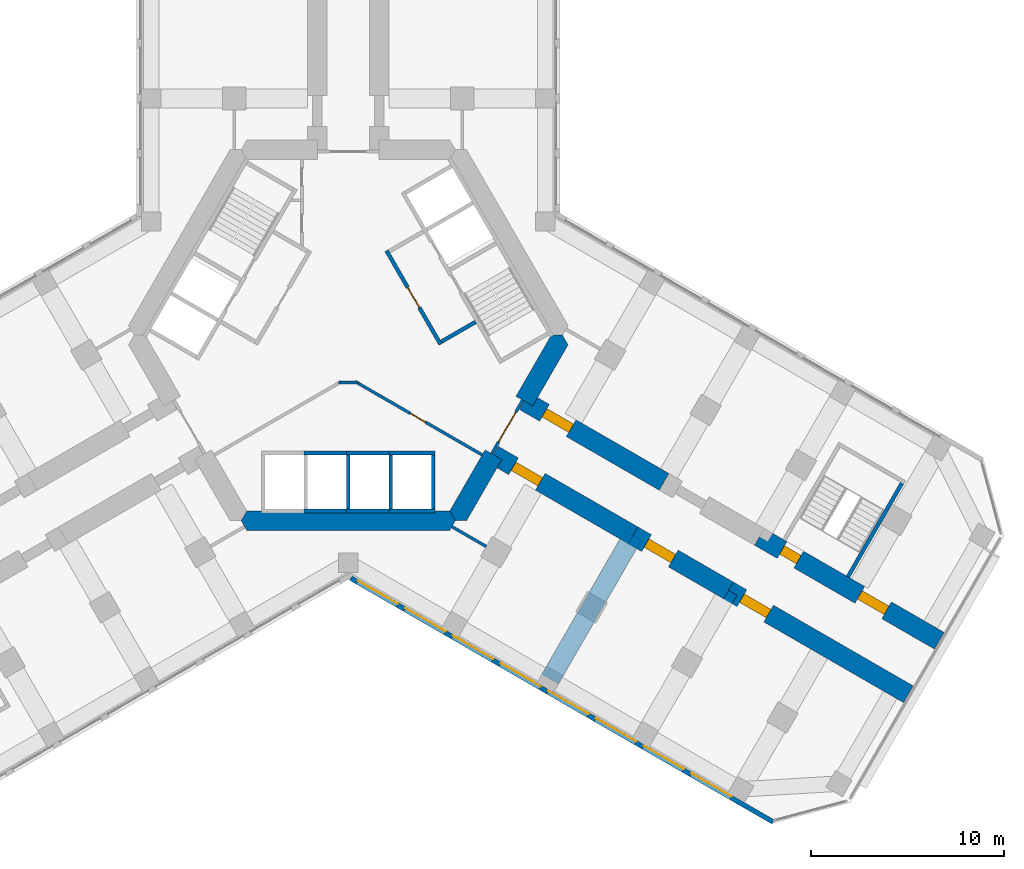
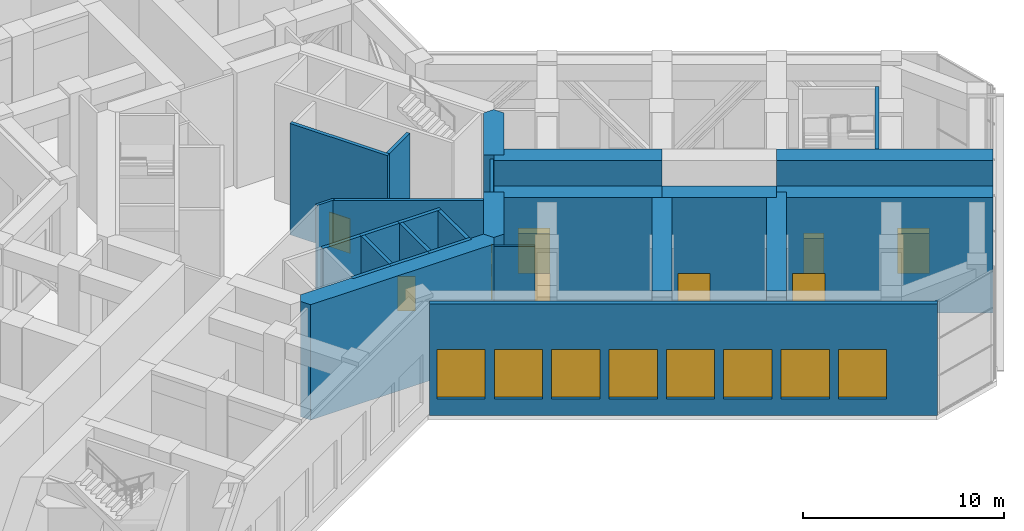
# One storey, part 12 of 17: 27 walls, 9 doors, 8 windows, 17 openings.
"""IFC4 building model written with IfcOpenShell, lengths in metres."""

from ifc_helpers import new_model, si_unit, direction, frame, frame_2d, origin, place, context, subcontext, project, spatial, polyline, rectangle, outline, extrude, material, layer, layer_set, type_object, element, fill, save


model = new_model("IFC4")

# Units and contexts
model_context = context("Model", 3, precision=1e-05, world=origin(), true_north=direction((0.0, 1.0)))
body_context = subcontext(model_context, "Body", "Model", "MODEL_VIEW")
ifc_project = project(units=[si_unit("LENGTHUNIT", "METRE"), si_unit("AREAUNIT", "SQUARE_METRE"), si_unit("VOLUMEUNIT", "CUBIC_METRE"), si_unit("PLANEANGLEUNIT", "RADIAN"), si_unit("MASSUNIT", "GRAM", prefix="KILO")], contexts=[model_context])

# Site, building, storey
site_placement = place(None, origin())
site = spatial("IfcSite", under=ifc_project, at=site_placement, CompositionType="ELEMENT")
building_placement = place(site_placement, origin())
building = spatial("IfcBuilding", under=site, at=building_placement, Name="Kosmar Iwan School Tower", CompositionType="ELEMENT")
storey_placement = place(building_placement, frame((0.0, 0.0, 113.199951171875)))
storey = spatial("IfcBuildingStorey", under=building, at=storey_placement, Name="L28", CompositionType="ELEMENT", Elevation=113.199951171875)

# Wall
ifc_material_1 = material(Name="Gypsum board on steel studs, fire-rated", Category="steel")
ifc_layer_1 = layer(ifc_material_1, 0.14990234375)
ifc_layer_set_1 = layer_set([ifc_layer_1], Name="Core room partition 150")
wall_type_1 = type_object("IfcWallType", Name="Core room partition 150", PredefinedType="PARTITIONING", material=ifc_layer_set_1)
wall_1_placement = place(storey_placement, frame((-0.497802734375, -2.43798828125, 0.0), z_axis=(0.0, 0.0, 1.0), x_axis=(1.0, 0.0, 0.0)))
element("IfcWall", 1, at=wall_1_placement, inside=storey, type_object=wall_type_1, Name="Core room partition L28-CW4", PredefinedType="PARTITIONING", context=body_context, shape_type="SweptSolid", body=[
    extrude(rectangle(XDim=0.99560546875, YDim=0.14990234375, at=frame_2d((0.497802734375, 0.0))), origin(), (0.0, 0.0, 1.0), 6.75),
])

# Wall, opening, door
wall_2_placement = place(storey_placement, frame((0.35791015625, -2.400634765625, 0.0), z_axis=(0.0, 0.0, 1.0), x_axis=(0.866025421855, -0.4999999687, 0.0)))
wall_2 = element("IfcWall", 2, at=wall_2_placement, inside=storey, type_object=wall_type_1, Name="Core room partition L28-CW5", PredefinedType="PARTITIONING", context=body_context, shape_type="SweptSolid", body=[
    extrude(rectangle(XDim=7.58984375, YDim=0.14990234375, at=frame_2d((3.794921875, 0.0))), origin(), (0.0, 0.0, 1.0), 6.75),
])
opening_1_placement = place(wall_2_placement, frame((3.302001953125, 0.0, 0.0)))
opening_1 = element("IfcOpeningElement", 3, at=opening_1_placement, cuts=wall_2, Name="Opening D14", PredefinedType="OPENING", context=body_context, shape_type="SweptSolid", body=[
    extrude(rectangle(XDim=0.89990234375, YDim=2.10009765625, at=frame_2d((0.449951171875, 1.050048828125))), frame((0.0, 0.0869140625, 0.0), z_axis=(0.0, -1.0, 0.0), x_axis=(1.0, 0.0, 0.0)), (0.0, 0.0, 1.0), 0.173828125),
])
ifc_material_2 = material(Name="Timber fire door in steel frame", Category="steel")
door_type_1 = type_object("IfcDoorType", Name="Core room door 900x2100", OperationType="SINGLE_SWING_LEFT", PredefinedType="DOOR", material=ifc_material_2)
door_1_placement = place(opening_1_placement, origin())
door_1 = element("IfcDoor", 4, at=door_1_placement, inside=storey, type_object=door_type_1, Name="Maintenance workshop door L28 3", OperationType="SINGLE_SWING_LEFT", OverallHeight=2.10009765625, OverallWidth=0.89990234375, PredefinedType="DOOR", context=body_context, shape_type="SweptSolid", body=[
    extrude(rectangle(XDim=0.89990234375, YDim=2.10009765625, at=frame_2d((0.449951171875, 1.050048828125))), frame((0.0, 0.02490234375, 0.0), z_axis=(0.0, -1.0, 0.0), x_axis=(1.0, 0.0, 0.0)), (0.0, 0.0, 1.0), 0.050048828125),
])
fill(opening_1, door_1)

# Walls
ifc_material_3 = material(Name="Concrete C50/60", Category="concrete")
ifc_layer_2 = layer(ifc_material_3, 1.0)
ifc_layer_set_2 = layer_set([ifc_layer_2], Name="Core wall 1000")
wall_type_2 = type_object("IfcWallType", Name="Core wall 1000", PredefinedType="SHEAR", material=ifc_layer_set_2)
wall_3_placement = place(storey_placement, origin())
element("IfcWall", 5, at=wall_3_placement, inside=storey, type_object=wall_type_2, Name="Core wall F270", PredefinedType="SHEAR", context=body_context, shape_type="SweptSolid", body=[
    extrude(outline(polyline([(-5.25390625, -10.10009765625), (5.25390625, -10.10009765625), (5.54248046875, -9.60009765625), (5.25390625, -9.10009765625), (-5.25390625, -9.10009765625), (-5.54248046875, -9.60009765625), (-5.25390625, -10.10009765625)])), origin(), (0.0, 0.0, 1.0), 7.0),
])
wall_4_placement = place(storey_placement, origin())
element("IfcWall", 6, at=wall_4_placement, inside=storey, type_object=wall_type_2, Name="Core wall F330a", PredefinedType="SHEAR", context=body_context, shape_type="SweptSolid", body=[
    extrude(outline(polyline([(5.54248046875, -9.60009765625), (6.119873046875, -9.60009765625), (7.94677734375, -6.435546875), (7.080810546875, -5.935546875), (5.25390625, -9.10009765625), (5.54248046875, -9.60009765625)])), origin(), (0.0, 0.0, 1.0), 7.0),
])
wall_5_placement = place(storey_placement, origin())
element("IfcWall", 7, at=wall_5_placement, inside=storey, type_object=wall_type_2, Name="Core wall F330b", PredefinedType="SHEAR", context=body_context, shape_type="SweptSolid", body=[
    extrude(outline(polyline([(9.546875, -3.664306640625), (11.373779296875, -0.5), (11.085205078125, 0.0), (10.5078125, 0.0), (8.680908203125, -3.164306640625), (9.546875, -3.664306640625)])), origin(), (0.0, 0.0, 1.0), 7.0),
])

# Wall, opening, door
ifc_material_4 = material(Name="Concrete C50/60", Category="concrete")
ifc_layer_3 = layer(ifc_material_4, 1.0)
ifc_layer_set_3 = layer_set([ifc_layer_3], Name="Corridor buttress wall 1000")
wall_type_3 = type_object("IfcWallType", Name="Corridor buttress wall 1000", PredefinedType="SHEAR", material=ifc_layer_set_3)
wall_6_placement = place(storey_placement, frame((9.11376953125, -3.414306640625, 0.0), z_axis=(0.0, 0.0, 1.0), x_axis=(0.866026859388, -0.499997478812, 0.0)))
wall_6 = element("IfcWall", 8, at=wall_6_placement, inside=storey, type_object=wall_type_3, Name="Corridor wall CL", PredefinedType="SHEAR", context=body_context, shape_type="SweptSolid", body=[
    extrude(rectangle(XDim=8.35009765625, YDim=1.0, at=frame_2d((4.175048828125, 0.0))), origin(), (0.0, 0.0, 1.0), 7.0),
])
opening_2_placement = place(wall_6_placement, frame((1.199951171875, 0.0, 0.0)))
opening_2 = element("IfcOpeningElement", 9, at=opening_2_placement, cuts=wall_6, Name="Opening D5", PredefinedType="OPENING", context=body_context, shape_type="SweptSolid", body=[
    extrude(rectangle(XDim=1.60009765625, YDim=2.39990234375, at=frame_2d((0.800048828125, 1.199951171875))), frame((0.0, 0.511962890625, 0.0), z_axis=(0.0, -1.0, 0.0), x_axis=(1.0, 0.0, 0.0)), (0.0, 0.0, 1.0), 1.02392578125),
])
ifc_material_5 = material(Name="Steel fire door", Category="steel")
door_type_2 = type_object("IfcDoorType", Name="Plant room door pair 1600x2400", OperationType="DOUBLE_DOOR_SINGLE_SWING", PredefinedType="DOOR", material=ifc_material_5)
door_2_placement = place(opening_2_placement, origin())
door_2 = element("IfcDoor", 10, at=door_2_placement, inside=storey, type_object=door_type_2, Name="Refuge area door L28-CL1", OperationType="DOUBLE_DOOR_SINGLE_SWING", OverallHeight=2.39990234375, OverallWidth=1.60009765625, PredefinedType="DOOR", context=body_context, shape_type="SweptSolid", body=[
    extrude(rectangle(XDim=1.60009765625, YDim=2.39990234375, at=frame_2d((0.800048828125, 1.199951171875))), frame((0.0, 0.25, 0.0), z_axis=(0.0, -1.0, 0.0), x_axis=(1.0, 0.0, 0.0)), (0.0, 0.0, 1.0), 0.5),
])
fill(opening_2, door_2)

# Wall, openings, doors
wall_7_placement = place(storey_placement, frame((21.281494140625, -10.439453125, 0.0), z_axis=(0.0, 0.0, 1.0), x_axis=(0.866032345022, -0.499987977232, 0.0)))
wall_7 = element("IfcWall", 11, at=wall_7_placement, inside=storey, type_object=wall_type_3, Name="Corridor wall CL bay 3", PredefinedType="SHEAR", context=body_context, shape_type="SweptSolid", body=[
    extrude(rectangle(XDim=10.744873046875, YDim=1.0, at=frame_2d((5.37255859375, 0.0))), origin(), (0.0, 0.0, 1.0), 7.0),
])
opening_3_placement = place(wall_7_placement, frame((6.0, 0.0, 0.0)))
opening_3 = element("IfcOpeningElement", 12, at=opening_3_placement, cuts=wall_7, Name="Opening D5", PredefinedType="OPENING", context=body_context, shape_type="SweptSolid", body=[
    extrude(rectangle(XDim=1.60009765625, YDim=2.39990234375, at=frame_2d((0.800048828125, 1.199951171875))), frame((0.0, 0.511962890625, 0.0), z_axis=(0.0, -1.0, 0.0), x_axis=(1.0, 0.0, 0.0)), (0.0, 0.0, 1.0), 1.02392578125),
])
opening_4_placement = place(wall_7_placement, frame((1.35009765625, 0.0, 0.0)))
opening_4 = element("IfcOpeningElement", 13, at=opening_4_placement, cuts=wall_7, Name="Opening D6", PredefinedType="OPENING", context=body_context, shape_type="SweptSolid", body=[
    extrude(rectangle(XDim=1.0, YDim=2.10009765625, at=frame_2d((0.5, 1.050048828125))), frame((0.0, 0.511962890625, 0.0), z_axis=(0.0, -1.0, 0.0), x_axis=(1.0, 0.0, 0.0)), (0.0, 0.0, 1.0), 1.02392578125),
])
door_3_placement = place(opening_3_placement, origin())
door_3 = element("IfcDoor", 14, at=door_3_placement, inside=storey, type_object=door_type_2, Name="Water tank room door L28-CL3", OperationType="DOUBLE_DOOR_SINGLE_SWING", OverallHeight=2.39990234375, OverallWidth=1.60009765625, PredefinedType="DOOR", context=body_context, shape_type="SweptSolid", body=[
    extrude(rectangle(XDim=1.60009765625, YDim=2.39990234375, at=frame_2d((0.800048828125, 1.199951171875))), frame((0.0, 0.25, 0.0), z_axis=(0.0, -1.0, 0.0), x_axis=(1.0, 0.0, 0.0)), (0.0, 0.0, 1.0), 0.5),
])
fill(opening_3, door_3)
ifc_material_6 = material(Name="Steel fire door", Category="steel")
door_type_3 = type_object("IfcDoorType", Name="Stair door 1000x2100", OperationType="SINGLE_SWING_LEFT", PredefinedType="DOOR", material=ifc_material_6)
door_4_placement = place(opening_4_placement, origin())
door_4 = element("IfcDoor", 15, at=door_4_placement, inside=storey, type_object=door_type_3, Name="Stair WS3 door L28", OperationType="SINGLE_SWING_LEFT", OverallHeight=2.10009765625, OverallWidth=1.0, PredefinedType="DOOR", context=body_context, shape_type="SweptSolid", body=[
    extrude(rectangle(XDim=1.0, YDim=2.10009765625, at=frame_2d((0.5, 1.050048828125))), frame((0.0, 0.25, 0.0), z_axis=(0.0, -1.0, 0.0), x_axis=(1.0, 0.0, 0.0)), (0.0, 0.0, 1.0), 0.5),
])
fill(opening_4, door_4)

# Wall, opening, door
wall_8_placement = place(storey_placement, frame((7.513916015625, -6.185546875, 0.0), z_axis=(0.0, 0.0, 1.0), x_axis=(0.866019549707, -0.500010139422, 0.0)))
wall_8 = element("IfcWall", 16, at=wall_8_placement, inside=storey, type_object=wall_type_3, Name="Corridor wall CR", PredefinedType="SHEAR", context=body_context, shape_type="SweptSolid", body=[
    extrude(rectangle(XDim=8.349853515625, YDim=1.0, at=frame_2d((4.1748046875, 0.0))), origin(), (0.0, 0.0, 1.0), 7.0),
])
opening_5_placement = place(wall_8_placement, frame((1.199951171875, 0.0, 0.0)))
opening_5 = element("IfcOpeningElement", 17, at=opening_5_placement, cuts=wall_8, Name="Opening D5", PredefinedType="OPENING", context=body_context, shape_type="SweptSolid", body=[
    extrude(rectangle(XDim=1.60009765625, YDim=2.39990234375, at=frame_2d((0.800048828125, 1.199951171875))), frame((0.0, 0.511962890625, 0.0), z_axis=(0.0, -1.0, 0.0), x_axis=(1.0, 0.0, 0.0)), (0.0, 0.0, 1.0), 1.02392578125),
])
door_5_placement = place(opening_5_placement, origin())
door_5 = element("IfcDoor", 18, at=door_5_placement, inside=storey, type_object=door_type_2, Name="Refuge area door L28-CR1", OperationType="DOUBLE_DOOR_SINGLE_SWING", OverallHeight=2.39990234375, OverallWidth=1.60009765625, PredefinedType="DOOR", context=body_context, shape_type="SweptSolid", body=[
    extrude(rectangle(XDim=1.60009765625, YDim=2.39990234375, at=frame_2d((0.800048828125, 1.199951171875))), frame((0.0, 0.25, 0.0), z_axis=(0.0, -1.0, 0.0), x_axis=(1.0, 0.0, 0.0)), (0.0, 0.0, 1.0), 0.5),
])
fill(opening_5, door_5)

wall_9_placement = place(storey_placement, frame((14.7451171875, -10.360595703125, 0.0), z_axis=(0.0, 0.0, 1.0), x_axis=(0.866015111908, -0.50001782563, 0.0)))
wall_9 = element("IfcWall", 19, at=wall_9_placement, inside=storey, type_object=wall_type_3, Name="Corridor wall CR bay 2", PredefinedType="SHEAR", context=body_context, shape_type="SweptSolid", body=[
    extrude(rectangle(XDim=5.699951171875, YDim=1.0, at=frame_2d((2.85009765625, 0.0))), origin(), (0.0, 0.0, 1.0), 7.0),
])
opening_6_placement = place(wall_9_placement, frame((0.800048828125, 0.0, 0.0)))
opening_6 = element("IfcOpeningElement", 20, at=opening_6_placement, cuts=wall_9, Name="Opening D5", PredefinedType="OPENING", context=body_context, shape_type="SweptSolid", body=[
    extrude(rectangle(XDim=1.60009765625, YDim=2.39990234375, at=frame_2d((0.800048828125, 1.199951171875))), frame((0.0, 0.511962890625, 0.0), z_axis=(0.0, -1.0, 0.0), x_axis=(1.0, 0.0, 0.0)), (0.0, 0.0, 1.0), 1.02392578125),
])
door_6_placement = place(opening_6_placement, origin())
door_6 = element("IfcDoor", 21, at=door_6_placement, inside=storey, type_object=door_type_2, Name="Electrical switch room door L28-CR2", OperationType="DOUBLE_DOOR_SINGLE_SWING", OverallHeight=2.39990234375, OverallWidth=1.60009765625, PredefinedType="DOOR", context=body_context, shape_type="SweptSolid", body=[
    extrude(rectangle(XDim=1.60009765625, YDim=2.39990234375, at=frame_2d((0.800048828125, 1.199951171875))), frame((0.0, 0.25, 0.0), z_axis=(0.0, -1.0, 0.0), x_axis=(1.0, 0.0, 0.0)), (0.0, 0.0, 1.0), 0.5),
])
fill(opening_6, door_6)

wall_10_placement = place(storey_placement, frame((19.681396484375, -13.210693359375, 0.0), z_axis=(0.0, 0.0, 1.0), x_axis=(0.866028186671, -0.499995179869, 0.0)))
wall_10 = element("IfcWall", 22, at=wall_10_placement, inside=storey, type_object=wall_type_3, Name="Corridor wall CR bay 3", PredefinedType="SHEAR", context=body_context, shape_type="SweptSolid", body=[
    extrude(rectangle(XDim=10.7451171875, YDim=1.0, at=frame_2d((5.37255859375, 0.0))), origin(), (0.0, 0.0, 1.0), 7.0),
])
opening_7_placement = place(wall_10_placement, frame((0.800048828125, 0.0, 0.0)))
opening_7 = element("IfcOpeningElement", 23, at=opening_7_placement, cuts=wall_10, Name="Opening D5", PredefinedType="OPENING", context=body_context, shape_type="SweptSolid", body=[
    extrude(rectangle(XDim=1.60009765625, YDim=2.39990234375, at=frame_2d((0.800048828125, 1.199951171875))), frame((0.0, 0.511962890625, 0.0), z_axis=(0.0, -1.0, 0.0), x_axis=(1.0, 0.0, 0.0)), (0.0, 0.0, 1.0), 1.02392578125),
])
door_7_placement = place(opening_7_placement, origin())
door_7 = element("IfcDoor", 24, at=door_7_placement, inside=storey, type_object=door_type_2, Name="Water tank room door L28-CR3", OperationType="DOUBLE_DOOR_SINGLE_SWING", OverallHeight=2.39990234375, OverallWidth=1.60009765625, PredefinedType="DOOR", context=body_context, shape_type="SweptSolid", body=[
    extrude(rectangle(XDim=1.60009765625, YDim=2.39990234375, at=frame_2d((0.800048828125, 1.199951171875))), frame((0.0, 0.25, 0.0), z_axis=(0.0, -1.0, 0.0), x_axis=(1.0, 0.0, 0.0)), (0.0, 0.0, 1.0), 0.5),
])
fill(opening_7, door_7)

ifc_material_7 = material(Name="Steel framed glazed screen", Category="steel")
ifc_layer_4 = layer(ifc_material_7, 0.14990234375)
ifc_layer_set_4 = layer_set([ifc_layer_4], Name="Corridor screen wall 150")
wall_type_4 = type_object("IfcWallType", Name="Corridor screen wall 150", PredefinedType="PARTITIONING", material=ifc_layer_set_4)
wall_11_placement = place(storey_placement, frame((7.42724609375, -6.1357421875, 0.0), z_axis=(0.0, 0.0, 1.0), x_axis=(0.499995408039, 0.866028054938, 0.0)))
wall_11 = element("IfcWall", 25, at=wall_11_placement, inside=storey, type_object=wall_type_4, Name="Corridor screen C L28", PredefinedType="PARTITIONING", context=body_context, shape_type="SweptSolid", body=[
    extrude(rectangle(XDim=3.2001953125, YDim=0.14990234375, at=frame_2d((1.60009765625, 0.0))), origin(), (0.0, 0.0, 1.0), 6.75),
])
opening_8_placement = place(wall_11_placement, frame((0.699951171875, 0.0, 0.0)))
opening_8 = element("IfcOpeningElement", 26, at=opening_8_placement, cuts=wall_11, Name="Opening D9", PredefinedType="OPENING", context=body_context, shape_type="SweptSolid", body=[
    extrude(rectangle(XDim=1.800048828125, YDim=2.10009765625, at=frame_2d((0.89990234375, 1.050048828125))), frame((0.0, 0.0869140625, 0.0), z_axis=(0.0, -1.0, 0.0), x_axis=(1.0, 0.0, 0.0)), (0.0, 0.0, 1.0), 0.173828125),
])
ifc_material_8 = material(Name="Steel framed glazed smoke door", Category="steel")
door_type_4 = type_object("IfcDoorType", Name="Corridor smoke door pair 1800x2100", OperationType="DOUBLE_DOOR_DOUBLE_SWING", PredefinedType="DOOR", material=ifc_material_8)
door_8_placement = place(opening_8_placement, origin())
door_8 = element("IfcDoor", 27, at=door_8_placement, inside=storey, type_object=door_type_4, Name="Corridor doors C L28", OperationType="DOUBLE_DOOR_DOUBLE_SWING", OverallHeight=2.10009765625, OverallWidth=1.800048828125, PredefinedType="DOOR", context=body_context, shape_type="SweptSolid", body=[
    extrude(rectangle(XDim=1.800048828125, YDim=2.10009765625, at=frame_2d((0.89990234375, 1.050048828125))), frame((0.0, 0.02490234375, 0.0), z_axis=(0.0, -1.0, 0.0), x_axis=(1.0, 0.0, 0.0)), (0.0, 0.0, 1.0), 0.050048828125),
])
fill(opening_8, door_8)

# Wall
ifc_material_9 = material(Name="Concrete C35/45", Category="concrete")
ifc_layer_5 = layer(ifc_material_9, 0.199951171875)
ifc_layer_set_5 = layer_set([ifc_layer_5], Name="Escape stair wall 200")
wall_type_5 = type_object("IfcWallType", Name="Escape stair wall 200", PredefinedType="SHEAR", material=ifc_layer_set_5)
wall_12_placement = place(storey_placement, frame((25.861572265625, -12.50634765625, 0.0), z_axis=(0.0, 0.0, 1.0), x_axis=(0.500018801468, 0.86601454848, 0.0)))
element("IfcWall", 28, at=wall_12_placement, inside=storey, type_object=wall_type_5, Name="Stair WS3 wall", PredefinedType="SHEAR", context=body_context, shape_type="SweptSolid", body=[
    extrude(rectangle(XDim=5.800048828125, YDim=0.199951171875, at=frame_2d((2.89990234375, 0.0))), origin(), (0.0, 0.0, 1.0), 6.72998046875),
])

# Wall, openings, windows
ifc_material_10 = material(Name="Black aluminium rainscreen on insulated framing", Category="aluminium")
ifc_layer_6 = layer(ifc_material_10, 0.25)
ifc_layer_set_6 = layer_set([ifc_layer_6], Name="External wall rainscreen 250")
wall_type_6 = type_object("IfcWallType", Name="External wall rainscreen 250", PredefinedType="SOLIDWALL", material=ifc_layer_set_6)
wall_13_placement = place(storey_placement, frame((0.137939453125, -12.5791015625, 0.0), z_axis=(0.0, 0.0, 1.0), x_axis=(0.866023775649, -0.500002820003, 0.0)))
wall_13 = element("IfcWall", 29, at=wall_13_placement, inside=storey, type_object=wall_type_6, Name="External wall CR L28", PredefinedType="SOLIDWALL", context=body_context, shape_type="SweptSolid", body=[
    extrude(rectangle(XDim=25.226318359375, YDim=0.25, at=frame_2d((12.61328125, 0.0))), origin(), (0.0, 0.0, 1.0), 6.75),
])
opening_9_placement = place(wall_13_placement, frame((0.365966796875, 0.0, 1.0)))
opening_9 = element("IfcOpeningElement", 30, at=opening_9_placement, cuts=wall_13, Name="Opening LV1", PredefinedType="OPENING", context=body_context, shape_type="SweptSolid", body=[
    extrude(rectangle(XDim=2.39990234375, YDim=3.0, at=frame_2d((1.199951171875, 1.5))), frame((0.0, 0.136962890625, 0.0), z_axis=(0.0, -1.0, 0.0), x_axis=(1.0, 0.0, 0.0)), (0.0, 0.0, 1.0), 0.27392578125),
])
opening_10_placement = place(wall_13_placement, frame((3.216064453125, 0.0, 1.0)))
opening_10 = element("IfcOpeningElement", 31, at=opening_10_placement, cuts=wall_13, Name="Opening LV1", PredefinedType="OPENING", context=body_context, shape_type="SweptSolid", body=[
    extrude(rectangle(XDim=2.39990234375, YDim=3.0, at=frame_2d((1.199951171875, 1.5))), frame((0.0, 0.136962890625, 0.0), z_axis=(0.0, -1.0, 0.0), x_axis=(1.0, 0.0, 0.0)), (0.0, 0.0, 1.0), 0.27392578125),
])
opening_11_placement = place(wall_13_placement, frame((6.06591796875, 0.0, 1.0)))
opening_11 = element("IfcOpeningElement", 32, at=opening_11_placement, cuts=wall_13, Name="Opening LV1", PredefinedType="OPENING", context=body_context, shape_type="SweptSolid", body=[
    extrude(rectangle(XDim=2.39990234375, YDim=3.0, at=frame_2d((1.199951171875, 1.5))), frame((0.0, 0.136962890625, 0.0), z_axis=(0.0, -1.0, 0.0), x_axis=(1.0, 0.0, 0.0)), (0.0, 0.0, 1.0), 0.27392578125),
])
opening_12_placement = place(wall_13_placement, frame((8.916015625, 0.0, 1.0)))
opening_12 = element("IfcOpeningElement", 33, at=opening_12_placement, cuts=wall_13, Name="Opening LV1", PredefinedType="OPENING", context=body_context, shape_type="SweptSolid", body=[
    extrude(rectangle(XDim=2.39990234375, YDim=3.0, at=frame_2d((1.199951171875, 1.5))), frame((0.0, 0.136962890625, 0.0), z_axis=(0.0, -1.0, 0.0), x_axis=(1.0, 0.0, 0.0)), (0.0, 0.0, 1.0), 0.27392578125),
])
opening_13_placement = place(wall_13_placement, frame((11.76611328125, 0.0, 1.0)))
opening_13 = element("IfcOpeningElement", 34, at=opening_13_placement, cuts=wall_13, Name="Opening LV1", PredefinedType="OPENING", context=body_context, shape_type="SweptSolid", body=[
    extrude(rectangle(XDim=2.39990234375, YDim=3.0, at=frame_2d((1.199951171875, 1.5))), frame((0.0, 0.136962890625, 0.0), z_axis=(0.0, -1.0, 0.0), x_axis=(1.0, 0.0, 0.0)), (0.0, 0.0, 1.0), 0.27392578125),
])
opening_14_placement = place(wall_13_placement, frame((14.615966796875, 0.0, 1.0)))
opening_14 = element("IfcOpeningElement", 35, at=opening_14_placement, cuts=wall_13, Name="Opening LV1", PredefinedType="OPENING", context=body_context, shape_type="SweptSolid", body=[
    extrude(rectangle(XDim=2.39990234375, YDim=3.0, at=frame_2d((1.199951171875, 1.5))), frame((0.0, 0.136962890625, 0.0), z_axis=(0.0, -1.0, 0.0), x_axis=(1.0, 0.0, 0.0)), (0.0, 0.0, 1.0), 0.27392578125),
])
opening_15_placement = place(wall_13_placement, frame((17.466064453125, 0.0, 1.0)))
opening_15 = element("IfcOpeningElement", 36, at=opening_15_placement, cuts=wall_13, Name="Opening LV1", PredefinedType="OPENING", context=body_context, shape_type="SweptSolid", body=[
    extrude(rectangle(XDim=2.39990234375, YDim=3.0, at=frame_2d((1.199951171875, 1.5))), frame((0.0, 0.136962890625, 0.0), z_axis=(0.0, -1.0, 0.0), x_axis=(1.0, 0.0, 0.0)), (0.0, 0.0, 1.0), 0.27392578125),
])
opening_16_placement = place(wall_13_placement, frame((20.31591796875, 0.0, 1.0)))
opening_16 = element("IfcOpeningElement", 37, at=opening_16_placement, cuts=wall_13, Name="Opening LV1", PredefinedType="OPENING", context=body_context, shape_type="SweptSolid", body=[
    extrude(rectangle(XDim=2.39990234375, YDim=3.0, at=frame_2d((1.199951171875, 1.5))), frame((0.0, 0.136962890625, 0.0), z_axis=(0.0, -1.0, 0.0), x_axis=(1.0, 0.0, 0.0)), (0.0, 0.0, 1.0), 0.27392578125),
])
ifc_material_11 = material(Name="Black aluminium louvre", Category="aluminium")
window_type = type_object("IfcWindowType", Name="Plant louvre 2400x3000", PartitioningType="SINGLE_PANEL", PredefinedType="USERDEFINED", material=ifc_material_11)
window_1_placement = place(opening_9_placement, origin())
window_1 = element("IfcWindow", 38, at=window_1_placement, inside=storey, type_object=window_type, Name="Window CR L28 -1", ObjectType="LOUVRE", OverallHeight=3.0, OverallWidth=2.39990234375, PartitioningType="SINGLE_PANEL", PredefinedType="USERDEFINED", context=body_context, shape_type="SweptSolid", body=[
    extrude(rectangle(XDim=2.39990234375, YDim=3.0, at=frame_2d((1.199951171875, 1.5))), frame((0.0, 0.070068359375, 0.0), z_axis=(0.0, -1.0, 0.0), x_axis=(1.0, 0.0, 0.0)), (0.0, 0.0, 1.0), 0.02001953125),
])
fill(opening_9, window_1)
window_2_placement = place(opening_10_placement, origin())
window_2 = element("IfcWindow", 39, at=window_2_placement, inside=storey, type_object=window_type, Name="Window CR L28 0", ObjectType="LOUVRE", OverallHeight=3.0, OverallWidth=2.39990234375, PartitioningType="SINGLE_PANEL", PredefinedType="USERDEFINED", context=body_context, shape_type="SweptSolid", body=[
    extrude(rectangle(XDim=2.39990234375, YDim=3.0, at=frame_2d((1.199951171875, 1.5))), frame((0.0, 0.070068359375, 0.0), z_axis=(0.0, -1.0, 0.0), x_axis=(1.0, 0.0, 0.0)), (0.0, 0.0, 1.0), 0.02001953125),
])
fill(opening_10, window_2)
window_3_placement = place(opening_11_placement, origin())
window_3 = element("IfcWindow", 40, at=window_3_placement, inside=storey, type_object=window_type, Name="Window CR L28 1", ObjectType="LOUVRE", OverallHeight=3.0, OverallWidth=2.39990234375, PartitioningType="SINGLE_PANEL", PredefinedType="USERDEFINED", context=body_context, shape_type="SweptSolid", body=[
    extrude(rectangle(XDim=2.39990234375, YDim=3.0, at=frame_2d((1.199951171875, 1.5))), frame((0.0, 0.070068359375, 0.0), z_axis=(0.0, -1.0, 0.0), x_axis=(1.0, 0.0, 0.0)), (0.0, 0.0, 1.0), 0.02001953125),
])
fill(opening_11, window_3)
window_4_placement = place(opening_12_placement, origin())
window_4 = element("IfcWindow", 41, at=window_4_placement, inside=storey, type_object=window_type, Name="Window CR L28 2", ObjectType="LOUVRE", OverallHeight=3.0, OverallWidth=2.39990234375, PartitioningType="SINGLE_PANEL", PredefinedType="USERDEFINED", context=body_context, shape_type="SweptSolid", body=[
    extrude(rectangle(XDim=2.39990234375, YDim=3.0, at=frame_2d((1.199951171875, 1.5))), frame((0.0, 0.070068359375, 0.0), z_axis=(0.0, -1.0, 0.0), x_axis=(1.0, 0.0, 0.0)), (0.0, 0.0, 1.0), 0.02001953125),
])
fill(opening_12, window_4)
window_5_placement = place(opening_13_placement, origin())
window_5 = element("IfcWindow", 42, at=window_5_placement, inside=storey, type_object=window_type, Name="Window CR L28 3", ObjectType="LOUVRE", OverallHeight=3.0, OverallWidth=2.39990234375, PartitioningType="SINGLE_PANEL", PredefinedType="USERDEFINED", context=body_context, shape_type="SweptSolid", body=[
    extrude(rectangle(XDim=2.39990234375, YDim=3.0, at=frame_2d((1.199951171875, 1.5))), frame((0.0, 0.070068359375, 0.0), z_axis=(0.0, -1.0, 0.0), x_axis=(1.0, 0.0, 0.0)), (0.0, 0.0, 1.0), 0.02001953125),
])
fill(opening_13, window_5)
window_6_placement = place(opening_14_placement, origin())
window_6 = element("IfcWindow", 43, at=window_6_placement, inside=storey, type_object=window_type, Name="Window CR L28 4", ObjectType="LOUVRE", OverallHeight=3.0, OverallWidth=2.39990234375, PartitioningType="SINGLE_PANEL", PredefinedType="USERDEFINED", context=body_context, shape_type="SweptSolid", body=[
    extrude(rectangle(XDim=2.39990234375, YDim=3.0, at=frame_2d((1.199951171875, 1.5))), frame((0.0, 0.070068359375, 0.0), z_axis=(0.0, -1.0, 0.0), x_axis=(1.0, 0.0, 0.0)), (0.0, 0.0, 1.0), 0.02001953125),
])
fill(opening_14, window_6)
window_7_placement = place(opening_15_placement, origin())
window_7 = element("IfcWindow", 44, at=window_7_placement, inside=storey, type_object=window_type, Name="Window CR L28 5", ObjectType="LOUVRE", OverallHeight=3.0, OverallWidth=2.39990234375, PartitioningType="SINGLE_PANEL", PredefinedType="USERDEFINED", context=body_context, shape_type="SweptSolid", body=[
    extrude(rectangle(XDim=2.39990234375, YDim=3.0, at=frame_2d((1.199951171875, 1.5))), frame((0.0, 0.070068359375, 0.0), z_axis=(0.0, -1.0, 0.0), x_axis=(1.0, 0.0, 0.0)), (0.0, 0.0, 1.0), 0.02001953125),
])
fill(opening_15, window_7)
window_8_placement = place(opening_16_placement, origin())
window_8 = element("IfcWindow", 45, at=window_8_placement, inside=storey, type_object=window_type, Name="Window CR L28 6", ObjectType="LOUVRE", OverallHeight=3.0, OverallWidth=2.39990234375, PartitioningType="SINGLE_PANEL", PredefinedType="USERDEFINED", context=body_context, shape_type="SweptSolid", body=[
    extrude(rectangle(XDim=2.39990234375, YDim=3.0, at=frame_2d((1.199951171875, 1.5))), frame((0.0, 0.070068359375, 0.0), z_axis=(0.0, -1.0, 0.0), x_axis=(1.0, 0.0, 0.0)), (0.0, 0.0, 1.0), 0.02001953125),
])
fill(opening_16, window_8)

# Wall, opening, door
ifc_material_12 = material(Name="Concrete block masonry", Category="masonry")
ifc_layer_7 = layer(ifc_material_12, 0.199951171875)
ifc_layer_set_7 = layer_set([ifc_layer_7], Name="Fire lobby wall 200")
wall_type_7 = type_object("IfcWallType", Name="Fire lobby wall 200", PredefinedType="PARTITIONING", material=ifc_layer_set_7)
wall_14_placement = place(storey_placement, frame((4.777587890625, -0.474853515625, 0.0), z_axis=(0.0, 0.0, 1.0), x_axis=(-0.500016814911, 0.866015695474, 0.0)))
wall_14 = element("IfcWall", 46, at=wall_14_placement, inside=storey, type_object=wall_type_7, Name="Firefighting lobby wall ST1", PredefinedType="PARTITIONING", context=body_context, shape_type="SweptSolid", body=[
    extrude(rectangle(XDim=5.599853515625, YDim=0.199951171875, at=frame_2d((2.7998046875, 0.0))), origin(), (0.0, 0.0, 1.0), 6.75),
])
opening_17_placement = place(wall_14_placement, frame((2.199951171875, 0.0, 0.0)))
opening_17 = element("IfcOpeningElement", 47, at=opening_17_placement, cuts=wall_14, Name="Opening D7", PredefinedType="OPENING", context=body_context, shape_type="SweptSolid", body=[
    extrude(rectangle(XDim=1.199951171875, YDim=2.10009765625, at=frame_2d((0.60009765625, 1.050048828125))), frame((0.0, 0.112060546875, 0.0), z_axis=(0.0, -1.0, 0.0), x_axis=(1.0, 0.0, 0.0)), (0.0, 0.0, 1.0), 0.223876953125),
])
ifc_material_13 = material(Name="Steel fire door", Category="steel")
door_type_5 = type_object("IfcDoorType", Name="Fire lobby door 1200x2100", OperationType="SINGLE_SWING_LEFT", PredefinedType="DOOR", material=ifc_material_13)
door_9_placement = place(opening_17_placement, origin())
door_9 = element("IfcDoor", 48, at=door_9_placement, inside=storey, type_object=door_type_5, Name="Firefighting lobby door ST1 L28", OperationType="SINGLE_SWING_LEFT", OverallHeight=2.10009765625, OverallWidth=1.199951171875, PredefinedType="DOOR", context=body_context, shape_type="SweptSolid", body=[
    extrude(rectangle(XDim=1.199951171875, YDim=2.10009765625, at=frame_2d((0.60009765625, 1.050048828125))), frame((0.0, 0.02490234375, 0.0), z_axis=(0.0, -1.0, 0.0), x_axis=(1.0, 0.0, 0.0)), (0.0, 0.0, 1.0), 0.050048828125),
])
fill(opening_17, door_9)

# Walls
wall_15_placement = place(storey_placement, frame((4.814208984375, -0.33837890625, 0.0), z_axis=(0.0, 0.0, 1.0), x_axis=(0.865969381856, 0.500097020274, 0.0)))
element("IfcWall", 49, at=wall_15_placement, inside=storey, type_object=wall_type_7, Name="Firefighting lobby wall ST1", PredefinedType="PARTITIONING", context=body_context, shape_type="SweptSolid", body=[
    extrude(rectangle(XDim=2.0498046875, YDim=0.199951171875, at=frame_2d((1.02490234375, 0.0))), origin(), (0.0, 0.0, 1.0), 6.75),
])
ifc_material_14 = material(Name="Concrete C50/60", Category="concrete")
ifc_layer_8 = layer(ifc_material_14, 0.199951171875)
ifc_layer_set_8 = layer_set([ifc_layer_8], Name="Lift shaft wall 200")
wall_type_8 = type_object("IfcWallType", Name="Lift shaft wall 200", PredefinedType="SHEAR", material=ifc_layer_set_8)
for number, where, z_axis, x_axis, name in (
    (50, (-2.300048828125, -6.10009765625, 0.0), (0.0, 0.0, 1.0), (1.0, 0.0, 0.0), "Lift and stair front wall BC"),
    (51, (-2.300048828125, -9.10009765625, 0.0), (0.0, 0.0, 1.0), (1.0, 0.0, 0.0), "Lift and stair back wall BC"),
):
    element("IfcWall", number, at=place(storey_placement, frame(where, z_axis=z_axis, x_axis=x_axis)), inside=storey, type_object=wall_type_8, Name=name, PredefinedType="SHEAR", context=body_context, shape_type="SweptSolid", body=[
        extrude(rectangle(XDim=2.199951171875, YDim=0.199951171875, at=frame_2d((1.10009765625, 0.0))), origin(), (0.0, 0.0, 1.0), 7.0),
    ])
for number, where, z_axis, x_axis, name in (
    (52, (-0.10009765625, -6.10009765625, 0.0), (0.0, 0.0, 1.0), (1.0, 0.0, 0.0), "Lift and stair front wall BC"),
    (53, (-0.10009765625, -9.10009765625, 0.0), (0.0, 0.0, 1.0), (1.0, 0.0, 0.0), "Lift and stair back wall BC"),
):
    element("IfcWall", number, at=place(storey_placement, frame(where, z_axis=z_axis, x_axis=x_axis)), inside=storey, type_object=wall_type_8, Name=name, PredefinedType="SHEAR", context=body_context, shape_type="SweptSolid", body=[
        extrude(rectangle(XDim=2.2001953125, YDim=0.199951171875, at=frame_2d((1.10009765625, 0.0))), origin(), (0.0, 0.0, 1.0), 7.0),
    ])
for number, where, z_axis, x_axis, name in (
    (54, (2.10009765625, -6.10009765625, 0.0), (0.0, 0.0, 1.0), (1.0, 0.0, 0.0), "Lift and stair front wall BC"),
    (55, (2.10009765625, -9.10009765625, 0.0), (0.0, 0.0, 1.0), (1.0, 0.0, 0.0), "Lift and stair back wall BC"),
):
    element("IfcWall", number, at=place(storey_placement, frame(where, z_axis=z_axis, x_axis=x_axis)), inside=storey, type_object=wall_type_8, Name=name, PredefinedType="SHEAR", context=body_context, shape_type="SweptSolid", body=[
        extrude(rectangle(XDim=2.39990234375, YDim=0.199951171875, at=frame_2d((1.199951171875, 0.0))), origin(), (0.0, 0.0, 1.0), 7.0),
    ])
for number, where, z_axis, x_axis, name in (
    (56, (0.0, -6.199951171875, 0.0), (0.0, 0.0, 1.0), (0.0, -1.0, 0.0), "Lift shaft wall BC 2"),
    (57, (2.199951171875, -6.199951171875, 0.0), (0.0, 0.0, 1.0), (0.0, -1.0, 0.0), "Lift shaft wall BC 3"),
    (58, (4.39990234375, -6.199951171875, 0.0), (0.0, 0.0, 1.0), (0.0, -1.0, 0.0), "Lift shaft wall BC 4"),
):
    element("IfcWall", number, at=place(storey_placement, frame(where, z_axis=z_axis, x_axis=x_axis)), inside=storey, type_object=wall_type_8, Name=name, PredefinedType="SHEAR", context=body_context, shape_type="SweptSolid", body=[
        extrude(rectangle(XDim=2.800048828125, YDim=0.199951171875, at=frame_2d((1.39990234375, 0.0))), origin(), (0.0, 0.0, 1.0), 7.0),
    ])
ifc_material_15 = material(Name="Concrete C50/60", Category="concrete")
ifc_layer_9 = layer(ifc_material_15, 1.0)
ifc_layer_set_9 = layer_set([ifc_layer_9], Name="Outrigger wall 1000")
wall_type_9 = type_object("IfcWallType", Name="Outrigger wall 1000", PredefinedType="SHEAR", material=ifc_layer_set_9)
for number, where, z_axis, x_axis, name in (
    (59, (14.7451171875, -10.360595703125, 0.0), (0.0, 0.0, 1.0), (-0.500007509209, -0.866021068297, 0.0), "Outrigger wall CR"),
    (60, (19.681396484375, -13.210693359375, 0.0), (0.0, 0.0, 1.0), (-0.499986217557, -0.866033360935, 0.0), "Outrigger wall CR"),
):
    element("IfcWall", number, at=place(storey_placement, frame(where, z_axis=z_axis, x_axis=x_axis)), inside=storey, type_object=wall_type_9, Name=name, PredefinedType="SHEAR", context=body_context, shape_type="SweptSolid", body=[
        extrude(rectangle(XDim=8.599853515625, YDim=1.0, at=frame_2d((4.2998046875, 0.0))), origin(), (0.0, 0.0, 1.0), 7.0),
    ])
ifc_material_16 = material(Name="Gypsum board on steel studs", Category="steel")
ifc_layer_10 = layer(ifc_material_16, 0.14990234375)
ifc_layer_set_10 = layer_set([ifc_layer_10], Name="School partition 150")
wall_type_10 = type_object("IfcWallType", Name="School partition 150", PredefinedType="PARTITIONING", material=ifc_layer_set_10)
wall_16_placement = place(storey_placement, frame((5.36376953125, -9.909423828125, 0.0), z_axis=(0.0, 0.0, 1.0), x_axis=(0.865999163574, -0.500045446624, 0.0)))
element("IfcWall", 61, at=wall_16_placement, inside=storey, type_object=wall_type_10, Name="Partition L28-CR-NB", PredefinedType="PARTITIONING", context=body_context, shape_type="SweptSolid", body=[
    extrude(rectangle(XDim=2.050048828125, YDim=0.14990234375, at=frame_2d((1.02490234375, 0.0))), origin(), (0.0, 0.0, 1.0), 6.75),
])

save(model, "model.ifc")
